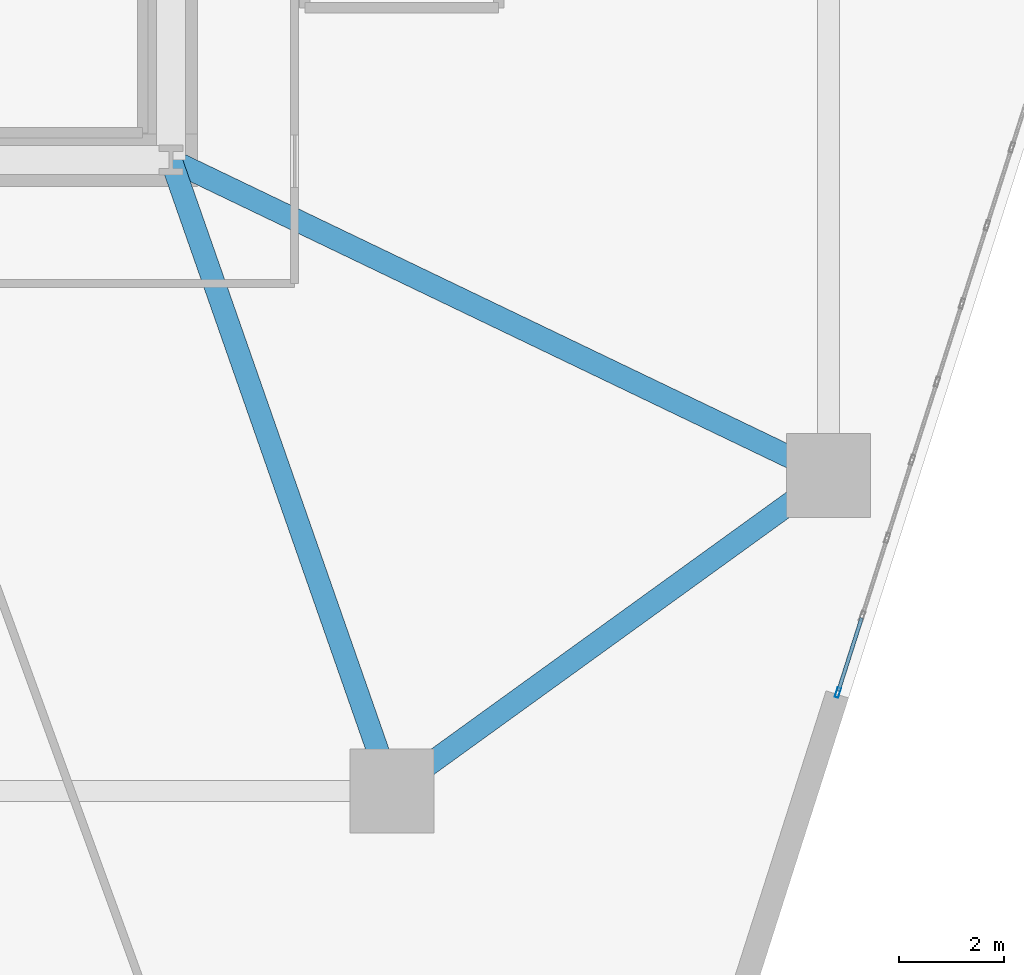
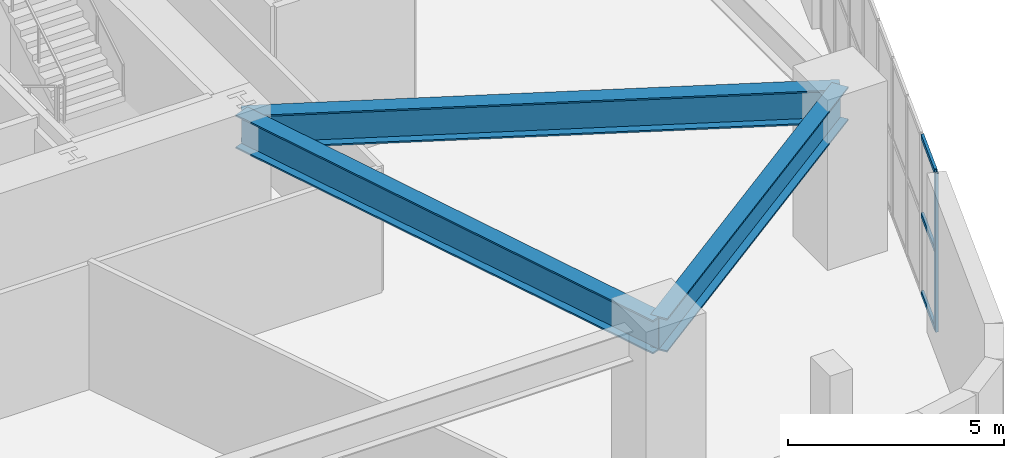
# One storey, part 6 of 15: 4 members, 3 beams, 1 element without a shape of its own.
"""IFC4 building model written with IfcOpenShell, lengths in metres."""

from ifc_helpers import new_model, si_unit, direction, frame, origin, origin_2d, place, context, subcontext, project, spatial, hollow_rectangle, i_section, extrude, material, layer, layer_set, material_profile, profile_set, type_object, element, aggregate, save


model = new_model("IFC4")

# Units and contexts
model_context = context("Model", 3, precision=1e-05, world=origin(), true_north=direction((0.0, 1.0)))
body_context = subcontext(model_context, "Body", "Model", "MODEL_VIEW")
ifc_project = project(units=[si_unit("LENGTHUNIT", "METRE"), si_unit("AREAUNIT", "SQUARE_METRE"), si_unit("VOLUMEUNIT", "CUBIC_METRE"), si_unit("PLANEANGLEUNIT", "RADIAN"), si_unit("MASSUNIT", "GRAM", prefix="KILO")], contexts=[model_context])

# Site, building, storey
site_placement = place(None, origin())
site = spatial("IfcSite", under=ifc_project, at=site_placement, CompositionType="ELEMENT")
building_placement = place(site_placement, origin())
building = spatial("IfcBuilding", under=site, at=building_placement, Name="Kilnhurst Terrace Hotel", CompositionType="ELEMENT")
storey_placement = place(building_placement, frame((0.0, 0.0, 23.39990234375)))
storey = spatial("IfcBuildingStorey", under=building, at=storey_placement, Name="L04", CompositionType="ELEMENT", Elevation=23.39990234375)

# Beams
ifc_material_1 = material(Name="Steel ASTM A992 Grade 50", Category="steel")
ifc_material_profile_1 = material_profile(ifc_material_1, i_section(OverallWidth=0.423095703125, OverallDepth=0.9482421875, WebThickness=0.02392578125, FlangeThickness=0.042724609375, at=origin_2d()), Name="W36X302")
ifc_profile_set_1 = profile_set([ifc_material_profile_1], Name="Steel ASTM A992 Grade 50")
beam_type = type_object("IfcBeamType", Name="BM-STL-W36X302", PredefinedType="BEAM", material=ifc_profile_set_1)
beam_1_placement = place(storey_placement, frame((21.5, -13.5, 4.006103515625), z_axis=(-0.901523057468, 0.432731067585, 0.0), x_axis=(-0.432731067585, -0.901523057468, 0.0)))
element("IfcBeam", 1, at=beam_1_placement, inside=storey, type_object=beam_type, Name="L04 Podium Frame Beam 12", PredefinedType="BEAM", context=body_context, shape_type="SweptSolid", body=[
    extrude(i_section(OverallWidth=0.423095703125, OverallDepth=0.9482421875, WebThickness=0.02392578125, FlangeThickness=0.042724609375, at=origin_2d()), origin(), (0.0, 0.0, 1.0), 13.865478515625),
])
beam_2_placement = place(storey_placement, frame((13.199951171875, -19.5, 4.006103515625), z_axis=(-0.330347003279, 0.943859553866, 0.0), x_axis=(-0.943859553866, -0.330347003279, 0.0)))
element("IfcBeam", 2, at=beam_2_placement, inside=storey, type_object=beam_type, Name="L04 Podium Frame Beam 16", PredefinedType="BEAM", context=body_context, shape_type="SweptSolid", body=[
    extrude(i_section(OverallWidth=0.423095703125, OverallDepth=0.9482421875, WebThickness=0.02392578125, FlangeThickness=0.042724609375, at=origin_2d()), origin(), (0.0, 0.0, 1.0), 12.7138671875),
])
beam_3_placement = place(storey_placement, frame((21.5, -13.5, 4.006103515625), z_axis=(-0.810423314702, -0.585844732833, 0.0), x_axis=(0.585844732833, -0.810423314702, 0.0)))
element("IfcBeam", 3, at=beam_3_placement, inside=storey, type_object=beam_type, Name="L04 Podium Frame Beam 18", PredefinedType="BEAM", context=body_context, shape_type="SweptSolid", body=[
    extrude(i_section(OverallWidth=0.423095703125, OverallDepth=0.9482421875, WebThickness=0.02392578125, FlangeThickness=0.042724609375, at=origin_2d()), origin(), (0.0, 0.0, 1.0), 10.24169921875),
])

# Curtain wall, members
ifc_material_2 = material(Name="Anodized Aluminium Alloy 6063-T6 and Low-E Glass", Category="aluminium")
ifc_layer = layer(ifc_material_2, 0.219970703125, Name="Anodized Aluminium Alloy 6063-T6 and Low-E Glass")
ifc_layer_set = layer_set([ifc_layer], Name="Anodized Aluminium Alloy 6063-T6 and Low-E Glass")
curtain_wall_type = type_object("IfcCurtainWallType", Name="CW-POD-TERR", PredefinedType="NOTDEFINED", material=ifc_layer_set)
curtain_wall_placement = place(storey_placement, origin())
curtain_wall = element("IfcCurtainWall", 4, at=curtain_wall_placement, inside=storey, type_object=curtain_wall_type, Name="L04 Curtain Wall CW-L04-F2-1", PredefinedType="NOTDEFINED")
ifc_material_3 = material(Name="Extruded Aluminium Alloy 6063-T6", Category="aluminium")
ifc_material_profile_2 = material_profile(ifc_material_3, hollow_rectangle(XDim=0.070068359375, YDim=0.18994140625, WallThickness=0.00390625, at=origin_2d()), Name="CWM70X190")
ifc_profile_set_2 = profile_set([ifc_material_profile_2], Name="Extruded Aluminium Alloy 6063-T6")
member_type_1 = type_object("IfcMemberType", Name="MEM-CWM70X190", PredefinedType="MULLION", material=ifc_profile_set_2)
member_1_placement = place(storey_placement, frame((21.679443359375, -17.627197265625, 0.0), z_axis=(0.0, 0.0, 1.0), x_axis=(-0.952674620463, 0.303991887271, 0.0)))
member_1 = element("IfcMember", 5, at=member_1_placement, type_object=member_type_1, Name="CWT-2 mullion 1", PredefinedType="MULLION", context=body_context, shape_type="SweptSolid", body=[
    extrude(hollow_rectangle(XDim=0.070068359375, YDim=0.18994140625, WallThickness=0.00390625, at=origin_2d()), origin(), (0.0, 0.0, 1.0), 4.47998046875),
])
ifc_material_profile_3 = material_profile(ifc_material_3, hollow_rectangle(XDim=0.070068359375, YDim=0.135009765625, WallThickness=0.00390625, at=origin_2d()), Name="CWT70X135")
ifc_profile_set_3 = profile_set([ifc_material_profile_3], Name="Extruded Aluminium Alloy 6063-T6")
member_type_2 = type_object("IfcMemberType", Name="MEM-CWT70X135", PredefinedType="USERDEFINED", material=ifc_profile_set_3)
member_2_placement = place(storey_placement, frame((21.68994140625, -17.593994140625, 0.03515625), z_axis=(0.303965629128, 0.952682998856, 0.0), x_axis=(-0.952682998856, 0.303965629128, 0.0)))
member_2 = element("IfcMember", 6, at=member_2_placement, type_object=member_type_2, Name="CWT-2 transom 1.1", ObjectType="TRANSOM", PredefinedType="USERDEFINED", context=body_context, shape_type="SweptSolid", body=[
    extrude(hollow_rectangle(XDim=0.070068359375, YDim=0.135009765625, WallThickness=0.00390625, at=origin_2d()), origin(), (0.0, 0.0, 1.0), 1.45458984375),
])
member_3_placement = place(storey_placement, frame((21.68994140625, -17.593994140625, 2.239990234375), z_axis=(0.303965629128, 0.952682998856, 0.0), x_axis=(-0.952682998856, 0.303965629128, 0.0)))
member_3 = element("IfcMember", 7, at=member_3_placement, type_object=member_type_2, Name="CWT-2 transom 1.2", ObjectType="TRANSOM", PredefinedType="USERDEFINED", context=body_context, shape_type="SweptSolid", body=[
    extrude(hollow_rectangle(XDim=0.070068359375, YDim=0.135009765625, WallThickness=0.00390625, at=origin_2d()), origin(), (0.0, 0.0, 1.0), 1.45458984375),
])
member_4_placement = place(storey_placement, frame((21.68994140625, -17.593994140625, 4.445068359375), z_axis=(0.303965629128, 0.952682998856, 0.0), x_axis=(-0.952682998856, 0.303965629128, 0.0)))
member_4 = element("IfcMember", 8, at=member_4_placement, type_object=member_type_2, Name="CWT-2 transom 1.3", ObjectType="TRANSOM", PredefinedType="USERDEFINED", context=body_context, shape_type="SweptSolid", body=[
    extrude(hollow_rectangle(XDim=0.070068359375, YDim=0.135009765625, WallThickness=0.00390625, at=origin_2d()), origin(), (0.0, 0.0, 1.0), 1.45458984375),
])
aggregate(curtain_wall, [member_1, member_2, member_3, member_4])

save(model, "model.ifc")
